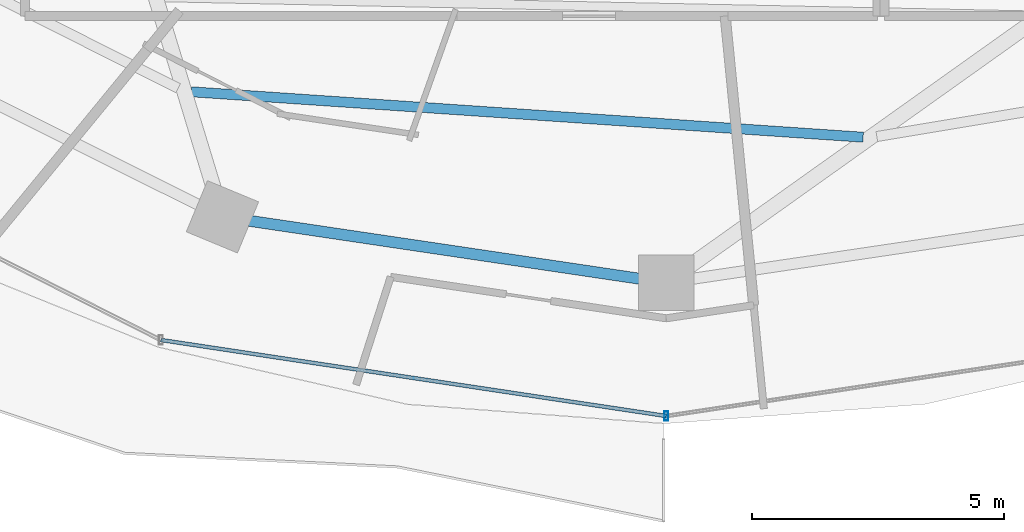
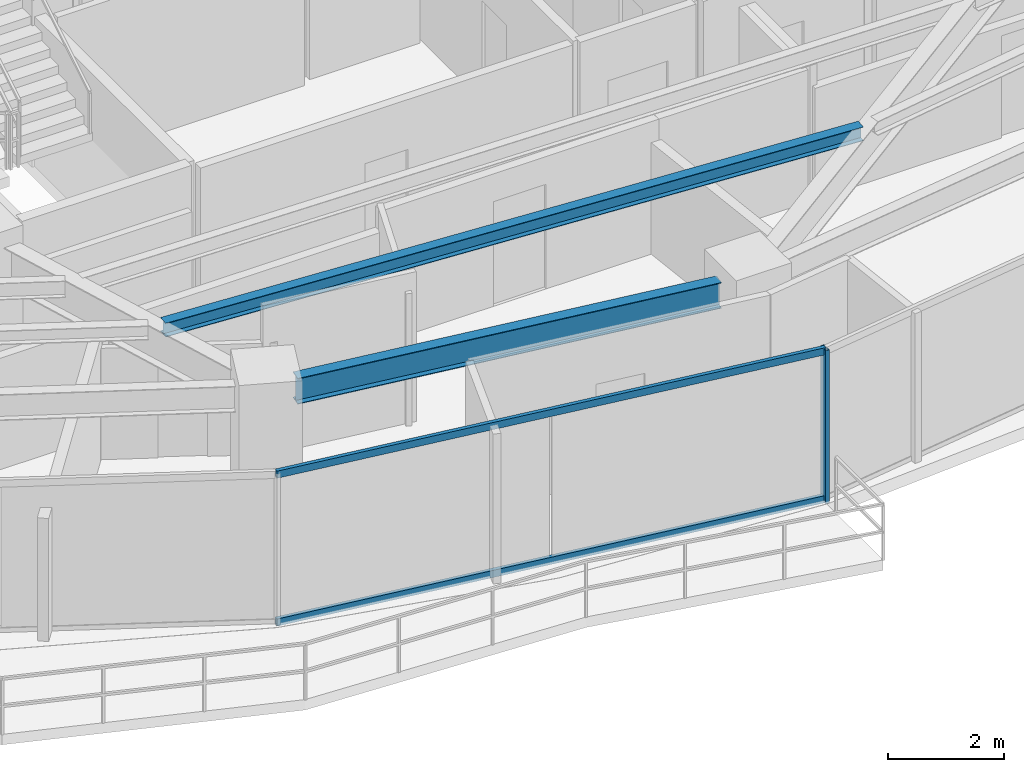
# One storey, part 5 of 29: 3 members, 2 beams, 1 element without a shape of its own.
"""IFC4 building model written with IfcOpenShell, lengths in metres."""

from ifc_helpers import new_model, si_unit, direction, frame, origin, origin_2d, place, context, subcontext, project, spatial, hollow_rectangle, i_section, extrude, material, material_profile, profile_set, type_object, element, aggregate, save


model = new_model("IFC4")

# Units and contexts
model_context = context("Model", 3, precision=1e-05, world=origin(), true_north=direction((0.0, 1.0)))
body_context = subcontext(model_context, "Body", "Model", "MODEL_VIEW")
ifc_project = project(units=[si_unit("LENGTHUNIT", "METRE"), si_unit("AREAUNIT", "SQUARE_METRE"), si_unit("VOLUMEUNIT", "CUBIC_METRE"), si_unit("PLANEANGLEUNIT", "RADIAN"), si_unit("MASSUNIT", "GRAM", prefix="KILO")], contexts=[model_context])

# Site, building, storey
site_placement = place(None, origin())
site = spatial("IfcSite", under=ifc_project, at=site_placement, CompositionType="ELEMENT")
building_placement = place(site_placement, origin())
building = spatial("IfcBuilding", under=site, at=building_placement, Name="Vorneva Point Tower", CompositionType="ELEMENT")
storey_placement = place(building_placement, frame((0.0, 0.0, 120.800048828125)))
storey = spatial("IfcBuildingStorey", under=building, at=storey_placement, Name="L32", CompositionType="ELEMENT", Elevation=120.800048828125)

# Beams
ifc_material_1 = material(Name="Steel S355", Category="steel")
ifc_material_profile_1 = material_profile(ifc_material_1, i_section(OverallWidth=0.199951171875, OverallDepth=0.291015625, WebThickness=0.008056640625, FlangeThickness=0.010986328125, at=origin_2d()), Name="30Sh1")
ifc_profile_set_1 = profile_set([ifc_material_profile_1], Name="Steel S355")
beam_type_1 = type_object("IfcBeamType", Name="BM-SEC-30Sh1", PredefinedType="BEAM", material=ifc_profile_set_1)
beam_1_placement = place(storey_placement, frame((28.5576171875, 12.594970703125, 3.00439453125), z_axis=(0.997721682044, -0.067464399347, 0.0), x_axis=(0.067464399347, 0.997721682044, 0.0)))
element("IfcBeam", 1, at=beam_1_placement, inside=storey, type_object=beam_type_1, Name="L32 Secondary Floor Beam 1.12", PredefinedType="BEAM", context=body_context, shape_type="SweptSolid", body=[
    extrude(i_section(OverallWidth=0.199951171875, OverallDepth=0.291015625, WebThickness=0.008056640625, FlangeThickness=0.010986328125, at=origin_2d()), origin(), (0.0, 0.0, 1.0), 13.385986328125),
])
ifc_material_profile_2 = material_profile(ifc_material_1, i_section(OverallWidth=0.219970703125, OverallDepth=0.54296875, WebThickness=0.009521484375, FlangeThickness=0.013427734375, at=origin_2d()), Name="55B1")
ifc_profile_set_2 = profile_set([ifc_material_profile_2], Name="Steel S355")
beam_type_2 = type_object("IfcBeamType", Name="BM-SPN-55B1", PredefinedType="SPANDREL", material=ifc_profile_set_2)
beam_2_placement = place(storey_placement, frame((29.708251953125, 10.03076171875, 2.87841796875), z_axis=(0.989164507783, -0.146811363806, 0.0), x_axis=(0.146811363806, 0.989164507783, 0.0)))
element("IfcBeam", 2, at=beam_2_placement, inside=storey, type_object=beam_type_2, Name="L32 Perimeter Spandrel Ring Beam 12", PredefinedType="SPANDREL", context=body_context, shape_type="SweptSolid", body=[
    extrude(i_section(OverallWidth=0.219970703125, OverallDepth=0.54296875, WebThickness=0.009521484375, FlangeThickness=0.013427734375, at=origin_2d()), origin(), (0.0, 0.0, 1.0), 7.847412109375),
])

# Curtain wall, members
ifc_material_2 = material(Name="Pale anodised aluminium", Category="aluminium")
curtain_wall_type = type_object("IfcCurtainWallType", Name="CW-HTL-SYS", PredefinedType="NOTDEFINED", material=ifc_material_2)
curtain_wall_placement = place(storey_placement, origin())
curtain_wall = element("IfcCurtainWall", 3, at=curtain_wall_placement, inside=storey, type_object=curtain_wall_type, Name="L32 Unitised Curtain Wall CW-L32-R03", PredefinedType="NOTDEFINED")
ifc_material_profile_3 = material_profile(ifc_material_2, hollow_rectangle(XDim=0.074951171875, YDim=0.179931640625, WallThickness=0.00390625, at=origin_2d()), Name="AL-MUL 180x75x4")
ifc_profile_set_3 = profile_set([ifc_material_profile_3], Name="Pale anodised aluminium")
member_type_1 = type_object("IfcMemberType", Name="CW-MUL-180", PredefinedType="MULLION", material=ifc_profile_set_3)
member_1_placement = place(storey_placement, frame((38.0, 6.14990234375, -0.0400390625), z_axis=(0.0, 0.0, 1.0), x_axis=(1.0, 0.0, 0.0)))
member_1 = element("IfcMember", 4, at=member_1_placement, type_object=member_type_1, Name="CW-L32-R03 Mullion 03", PredefinedType="MULLION", context=body_context, shape_type="SweptSolid", body=[
    extrude(hollow_rectangle(XDim=0.074951171875, YDim=0.179931640625, WallThickness=0.00390625, at=origin_2d()), origin(), (0.0, 0.0, 1.0), 3.219970703125),
])
ifc_material_profile_4 = material_profile(ifc_material_2, hollow_rectangle(XDim=0.074951171875, YDim=0.14990234375, WallThickness=0.00390625, at=origin_2d()), Name="AL-TRN 150x75x4")
ifc_profile_set_4 = profile_set([ifc_material_profile_4], Name="Pale anodised aluminium")
member_type_2 = type_object("IfcMemberType", Name="CW-TRN-150", PredefinedType="USERDEFINED", material=ifc_profile_set_4)
member_2_placement = place(storey_placement, frame((27.95458984375, 7.660888671875, 0.02001953125), z_axis=(0.988875982167, -0.148742367512, 0.0), x_axis=(0.148742367512, 0.988875982167, 0.0)))
member_2 = element("IfcMember", 5, at=member_2_placement, type_object=member_type_2, Name="CW-L32-R03 Transom 02.1", ObjectType="TRANSOM", PredefinedType="USERDEFINED", context=body_context, shape_type="SweptSolid", body=[
    extrude(hollow_rectangle(XDim=0.074951171875, YDim=0.14990234375, WallThickness=0.00390625, at=origin_2d()), origin(), (0.0, 0.0, 1.0), 10.158447265625),
])
member_3_placement = place(storey_placement, frame((27.95458984375, 7.660888671875, 3.1298828125), z_axis=(0.988875982167, -0.148742367512, 0.0), x_axis=(0.148742367512, 0.988875982167, 0.0)))
member_3 = element("IfcMember", 6, at=member_3_placement, type_object=member_type_2, Name="CW-L32-R03 Transom 02.2", ObjectType="TRANSOM", PredefinedType="USERDEFINED", context=body_context, shape_type="SweptSolid", body=[
    extrude(hollow_rectangle(XDim=0.074951171875, YDim=0.14990234375, WallThickness=0.00390625, at=origin_2d()), origin(), (0.0, 0.0, 1.0), 10.158447265625),
])
aggregate(curtain_wall, [member_1, member_2, member_3])

save(model, "model.ifc")
